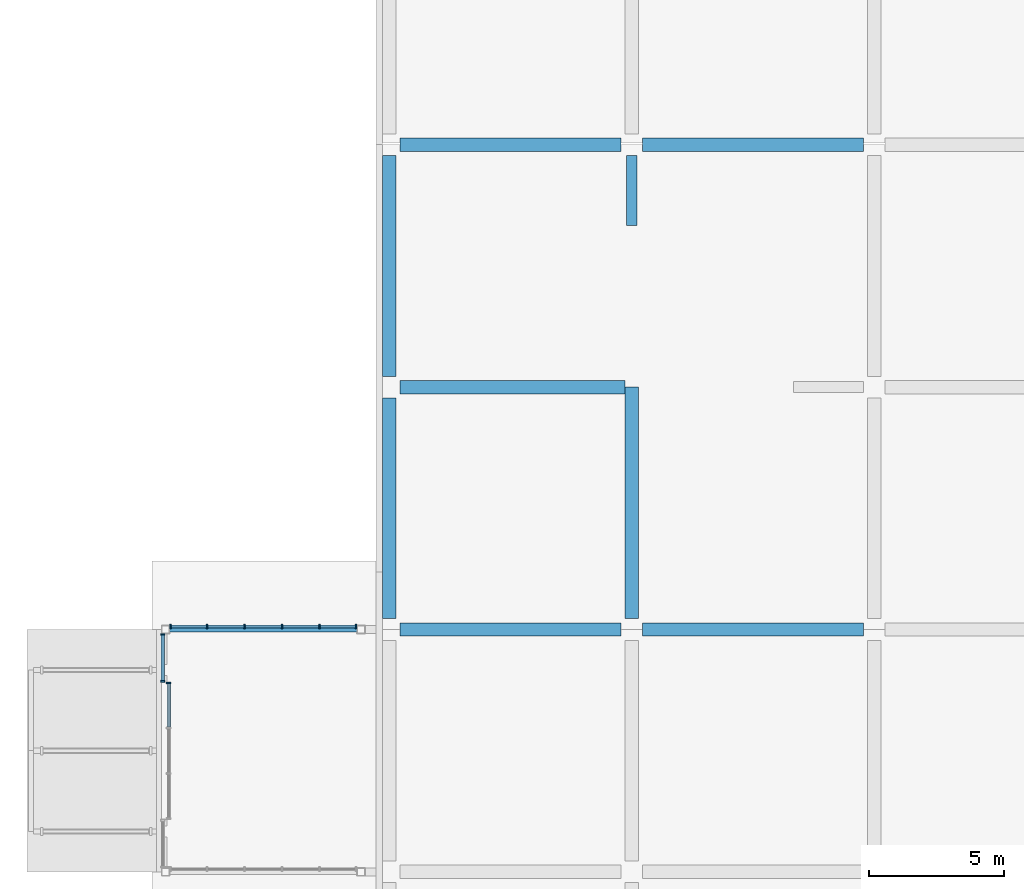
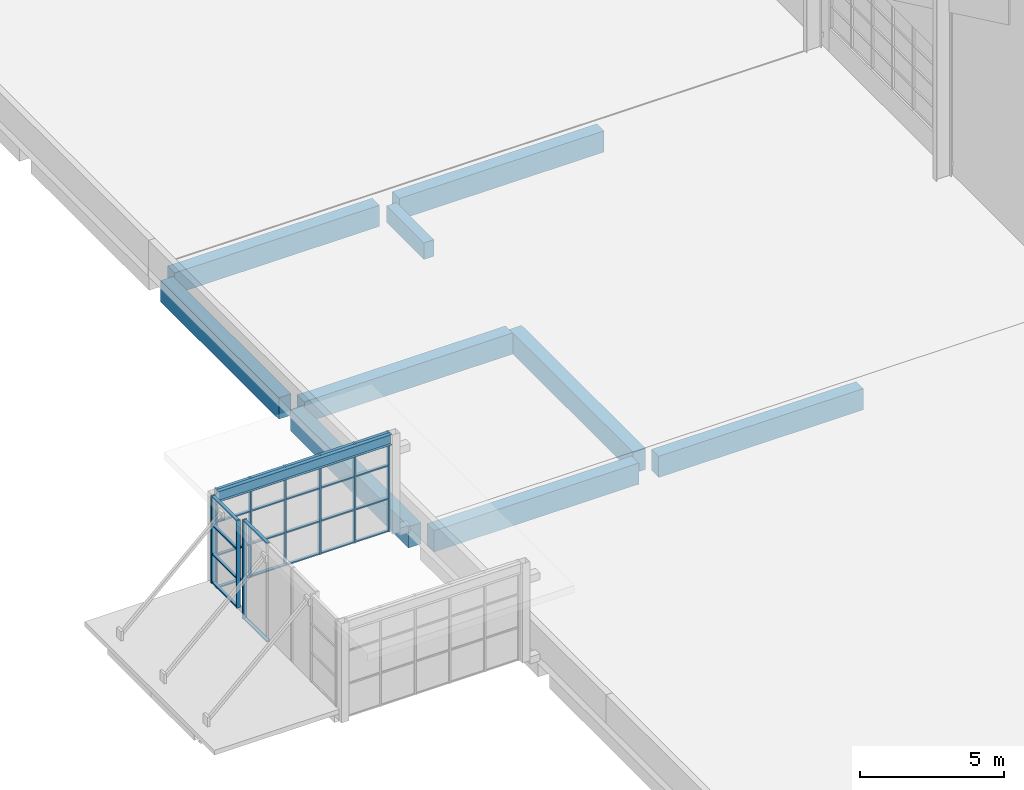
# One storey, part 26 of 182: 35 members, 10 beams, 3 elements without a shape of their own.
"""IFC4 building model written with IfcOpenShell, lengths in metres."""

from ifc_helpers import new_model, si_unit, direction, frame, origin, origin_2d, place, context, subcontext, project, spatial, rectangle, i_section, extrude, material, material_profile, profile_set, type_object, element, aggregate, save


model = new_model("IFC4")

# Units and contexts
model_context = context("Model", 3, precision=1e-05, world=origin(), true_north=direction((0.0, 1.0)))
body_context = subcontext(model_context, "Body", "Model", "MODEL_VIEW")
ifc_project = project(units=[si_unit("LENGTHUNIT", "METRE"), si_unit("AREAUNIT", "SQUARE_METRE"), si_unit("VOLUMEUNIT", "CUBIC_METRE"), si_unit("PLANEANGLEUNIT", "RADIAN"), si_unit("MASSUNIT", "GRAM", prefix="KILO")], contexts=[model_context])

# Site, building, storey
site_placement = place(None, origin())
site = spatial("IfcSite", under=ifc_project, at=site_placement, CompositionType="ELEMENT")
building_placement = place(site_placement, origin())
building = spatial("IfcBuilding", under=site, at=building_placement, Name="Silverbay Arena", CompositionType="ELEMENT")
storey_placement = place(building_placement, frame((0.0, 0.0, 11.5)))
storey = spatial("IfcBuildingStorey", under=building, at=storey_placement, Name="L02", CompositionType="ELEMENT", Elevation=11.5)

# Beam
ifc_material_1 = material(Name="Steel S355", Category="steel")
ifc_material_profile_1 = material_profile(ifc_material_1, i_section(OverallWidth=0.18994140625, OverallDepth=0.453369140625, WebThickness=0.008544921875, FlangeThickness=0.0126953125, at=origin_2d()), Name="UB 457x191x67")
ifc_profile_set_1 = profile_set([ifc_material_profile_1], Name="Steel S355")
beam_type_1 = type_object("IfcBeamType", Name="Hall beam UB 457x191x67", PredefinedType="BEAM", material=ifc_profile_set_1)
beam_1_placement = place(storey_placement, frame((25.800048828125, 63.0, 3.973388671875), z_axis=(-1.0, 0.0, 0.0), x_axis=(0.0, -1.0, 0.0)))
element("IfcBeam", 1, at=beam_1_placement, inside=storey, type_object=beam_type_1, Name="West entrance hall W0 transverse beam 2R", PredefinedType="BEAM", context=body_context, shape_type="SweptSolid", body=[
    extrude(i_section(OverallWidth=0.18994140625, OverallDepth=0.453369140625, WebThickness=0.008544921875, FlangeThickness=0.0126953125, at=origin_2d()), origin(), (0.0, 0.0, 1.0), 6.949951171875),
])

# Curtain wall, members
ifc_material_2 = material(Name="Aluminium framed curtain wall", Category="aluminium")
curtain_wall_type_1 = type_object("IfcCurtainWallType", Name="Curtain wall 1800 x 3700", PredefinedType="NOTDEFINED", material=ifc_material_2)
curtain_wall_1_placement = place(storey_placement, origin())
curtain_wall_1 = element("IfcCurtainWall", 2, at=curtain_wall_1_placement, inside=storey, type_object=curtain_wall_type_1, Name="West entrance hall W0 glazing F0b", PredefinedType="NOTDEFINED")
ifc_material_3 = material(Name="Aluminium", Category="aluminium")
ifc_material_profile_2 = material_profile(ifc_material_3, rectangle(XDim=0.159912109375, YDim=0.06005859375, at=origin_2d()), Name="Mullion 60 x 160")
ifc_profile_set_2 = profile_set([ifc_material_profile_2], Name="Aluminium")
member_type_1 = type_object("IfcMemberType", Name="Mullion 60 x 160", PredefinedType="MULLION", material=ifc_profile_set_2)
member_1_placement = place(storey_placement, frame((18.590087890625, 61.080078125, 0.5), z_axis=(0.0, 0.0, 1.0), x_axis=(-1.0, 0.0, 0.0)))
member_1 = element("IfcMember", 3, at=member_1_placement, type_object=member_type_1, Name="CW50 mullion 1", PredefinedType="MULLION", context=body_context, shape_type="SweptSolid", body=[
    extrude(rectangle(XDim=0.159912109375, YDim=0.06005859375, at=origin_2d()), origin(), (0.0, 0.0, 1.0), 3.699951171875),
])
member_2_placement = place(storey_placement, frame((18.590087890625, 62.820068359375, 0.5), z_axis=(0.0, 0.0, 1.0), x_axis=(-1.0, 0.0, 0.0)))
member_2 = element("IfcMember", 4, at=member_2_placement, type_object=member_type_1, Name="CW50 mullion 2", PredefinedType="MULLION", context=body_context, shape_type="SweptSolid", body=[
    extrude(rectangle(XDim=0.159912109375, YDim=0.06005859375, at=origin_2d()), origin(), (0.0, 0.0, 1.0), 3.699951171875),
])

ifc_material_4 = material(Name="Aluminium framed curtain wall", Category="aluminium")
curtain_wall_type_2 = type_object("IfcCurtainWallType", Name="Curtain wall 6950 x 4200", PredefinedType="NOTDEFINED", material=ifc_material_4)
curtain_wall_2_placement = place(storey_placement, origin())
curtain_wall_2 = element("IfcCurtainWall", 5, at=curtain_wall_2_placement, inside=storey, type_object=curtain_wall_type_2, Name="West entrance hall W0 glazing SB", PredefinedType="NOTDEFINED")
member_3_placement = place(storey_placement, frame((18.8798828125, 63.110107421875, 0.0), z_axis=(0.0, 0.0, 1.0), x_axis=(0.0, 1.0, 0.0)))
member_3 = element("IfcMember", 6, at=member_3_placement, type_object=member_type_1, Name="CW52 mullion 1", PredefinedType="MULLION", context=body_context, shape_type="SweptSolid", body=[
    extrude(rectangle(XDim=0.159912109375, YDim=0.06005859375, at=origin_2d()), origin(), (0.0, 0.0, 1.0), 4.199951171875),
])
member_4_placement = place(storey_placement, frame((20.239990234375, 63.110107421875, 0.0), z_axis=(0.0, 0.0, 1.0), x_axis=(0.0, 1.0, 0.0)))
member_4 = element("IfcMember", 7, at=member_4_placement, type_object=member_type_1, Name="CW52 mullion 2", PredefinedType="MULLION", context=body_context, shape_type="SweptSolid", body=[
    extrude(rectangle(XDim=0.159912109375, YDim=0.06005859375, at=origin_2d()), origin(), (0.0, 0.0, 1.0), 4.199951171875),
])
member_5_placement = place(storey_placement, frame((21.6298828125, 63.110107421875, 0.0), z_axis=(0.0, 0.0, 1.0), x_axis=(0.0, 1.0, 0.0)))
member_5 = element("IfcMember", 8, at=member_5_placement, type_object=member_type_1, Name="CW52 mullion 3", PredefinedType="MULLION", context=body_context, shape_type="SweptSolid", body=[
    extrude(rectangle(XDim=0.159912109375, YDim=0.06005859375, at=origin_2d()), origin(), (0.0, 0.0, 1.0), 4.199951171875),
])
member_6_placement = place(storey_placement, frame((23.02001953125, 63.110107421875, 0.0), z_axis=(0.0, 0.0, 1.0), x_axis=(0.0, 1.0, 0.0)))
member_6 = element("IfcMember", 9, at=member_6_placement, type_object=member_type_1, Name="CW52 mullion 4", PredefinedType="MULLION", context=body_context, shape_type="SweptSolid", body=[
    extrude(rectangle(XDim=0.159912109375, YDim=0.06005859375, at=origin_2d()), origin(), (0.0, 0.0, 1.0), 4.199951171875),
])
member_7_placement = place(storey_placement, frame((24.409912109375, 63.110107421875, 0.0), z_axis=(0.0, 0.0, 1.0), x_axis=(0.0, 1.0, 0.0)))
member_7 = element("IfcMember", 10, at=member_7_placement, type_object=member_type_1, Name="CW52 mullion 5", PredefinedType="MULLION", context=body_context, shape_type="SweptSolid", body=[
    extrude(rectangle(XDim=0.159912109375, YDim=0.06005859375, at=origin_2d()), origin(), (0.0, 0.0, 1.0), 4.199951171875),
])
member_8_placement = place(storey_placement, frame((25.77001953125, 63.110107421875, 0.0), z_axis=(0.0, 0.0, 1.0), x_axis=(0.0, 1.0, 0.0)))
member_8 = element("IfcMember", 11, at=member_8_placement, type_object=member_type_1, Name="CW52 mullion 6", PredefinedType="MULLION", context=body_context, shape_type="SweptSolid", body=[
    extrude(rectangle(XDim=0.159912109375, YDim=0.06005859375, at=origin_2d()), origin(), (0.0, 0.0, 1.0), 4.199951171875),
])

# Curtain wall, member
ifc_material_5 = material(Name="Aluminium framed curtain wall", Category="aluminium")
curtain_wall_type_3 = type_object("IfcCurtainWallType", Name="Curtain wall 5100 x 4200", PredefinedType="NOTDEFINED", material=ifc_material_5)
curtain_wall_3_placement = place(storey_placement, origin())
curtain_wall_3 = element("IfcCurtainWall", 12, at=curtain_wall_3_placement, inside=storey, type_object=curtain_wall_type_3, Name="West entrance hall W0 glazing over the door", PredefinedType="NOTDEFINED")
member_9_placement = place(storey_placement, frame((18.81005859375, 61.02001953125, 0.0), z_axis=(0.0, 0.0, 1.0), x_axis=(1.0, 0.0, 0.0)))
member_9 = element("IfcMember", 13, at=member_9_placement, type_object=member_type_1, Name="CW53 mullion 1", PredefinedType="MULLION", context=body_context, shape_type="SweptSolid", body=[
    extrude(rectangle(XDim=0.159912109375, YDim=0.06005859375, at=origin_2d()), origin(), (0.0, 0.0, 1.0), 4.199951171875),
])

# Beams
ifc_material_6 = material(Name="Concrete Grade C45", Category="concrete")
ifc_material_profile_3 = material_profile(ifc_material_6, rectangle(XDim=0.39990234375, YDim=0.699951171875, at=origin_2d()), Name="RC 400x700")
ifc_profile_set_3 = profile_set([ifc_material_profile_3], Name="Concrete Grade C45")
beam_type_2 = type_object("IfcBeamType", Name="RC beam 400x700", PredefinedType="BEAM", material=ifc_profile_set_3)
beam_2_placement = place(storey_placement, frame((36.0, 78.0, -0.699951171875), z_axis=(0.0, 1.0, 0.0), x_axis=(-1.0, 0.0, 0.0)))
element("IfcBeam", 14, at=beam_2_placement, inside=storey, type_object=beam_type_2, Name="Floor beam L02 195", PredefinedType="BEAM", context=body_context, shape_type="SweptSolid", body=[
    extrude(rectangle(XDim=0.39990234375, YDim=0.699951171875, at=origin_2d()), origin(), (0.0, 0.0, 1.0), 2.60009765625),
])
ifc_material_7 = material(Name="Concrete Grade C45", Category="concrete")
ifc_material_profile_4 = material_profile(ifc_material_7, rectangle(XDim=0.5, YDim=0.89990234375, at=origin_2d()), Name="RC 500x900")
ifc_profile_set_4 = profile_set([ifc_material_profile_4], Name="Concrete Grade C45")
beam_type_3 = type_object("IfcBeamType", Name="RC beam 500x900", PredefinedType="BEAM", material=ifc_profile_set_4)
for number, where, z_axis, x_axis, name in (
    (15, (27.39990234375, 63.0, -0.800048828125), (1.0, 0.0, 0.0), (0.0, 1.0, 0.0), "Floor beam L02 062"),
    (16, (36.39990234375, 63.0, -0.800048828125), (1.0, 0.0, 0.0), (0.0, 1.0, 0.0), "Floor beam L02 063"),
):
    element("IfcBeam", number, at=place(storey_placement, frame(where, z_axis=z_axis, x_axis=x_axis)), inside=storey, type_object=beam_type_3, Name=name, PredefinedType="BEAM", context=body_context, shape_type="SweptSolid", body=[
        extrude(rectangle(XDim=0.5, YDim=0.89990234375, at=origin_2d()), origin(), (0.0, 0.0, 1.0), 8.2001953125),
    ])
beam_3_placement = place(storey_placement, frame((27.39990234375, 72.0, -0.800048828125), z_axis=(1.0, 0.0, 0.0), x_axis=(0.0, 1.0, 0.0)))
element("IfcBeam", 17, at=beam_3_placement, inside=storey, type_object=beam_type_3, Name="Floor beam L02 072", PredefinedType="BEAM", context=body_context, shape_type="SweptSolid", body=[
    extrude(rectangle(XDim=0.5, YDim=0.89990234375, at=origin_2d()), origin(), (0.0, 0.0, 1.0), 8.35009765625),
])
for number, where, z_axis, x_axis, name in (
    (18, (27.39990234375, 81.0, -0.800048828125), (1.0, 0.0, 0.0), (0.0, 1.0, 0.0), "Floor beam L02 084"),
    (19, (36.39990234375, 81.0, -0.800048828125), (1.0, 0.0, 0.0), (0.0, 1.0, 0.0), "Floor beam L02 085"),
    (20, (27.0, 63.39990234375, -0.800048828125), (0.0, 1.0, 0.0), (-1.0, 0.0, 0.0), "Floor beam L02 184"),
    (21, (27.0, 72.39990234375, -0.800048828125), (0.0, 1.0, 0.0), (-1.0, 0.0, 0.0), "Floor beam L02 185"),
):
    element("IfcBeam", number, at=place(storey_placement, frame(where, z_axis=z_axis, x_axis=x_axis)), inside=storey, type_object=beam_type_3, Name=name, PredefinedType="BEAM", context=body_context, shape_type="SweptSolid", body=[
        extrude(rectangle(XDim=0.5, YDim=0.89990234375, at=origin_2d()), origin(), (0.0, 0.0, 1.0), 8.2001953125),
    ])
beam_4_placement = place(storey_placement, frame((36.0, 63.39990234375, -0.800048828125), z_axis=(0.0, 1.0, 0.0), x_axis=(-1.0, 0.0, 0.0)))
element("IfcBeam", 22, at=beam_4_placement, inside=storey, type_object=beam_type_3, Name="Floor beam L02 194", PredefinedType="BEAM", context=body_context, shape_type="SweptSolid", body=[
    extrude(rectangle(XDim=0.5, YDim=0.89990234375, at=origin_2d()), origin(), (0.0, 0.0, 1.0), 8.60009765625),
])

# Member
ifc_material_8 = material(Name="Aluminium", Category="aluminium")
ifc_material_profile_5 = material_profile(ifc_material_8, rectangle(XDim=0.1201171875, YDim=0.050048828125, at=origin_2d()), Name="Transom 50 x 120")
ifc_profile_set_5 = profile_set([ifc_material_profile_5], Name="Aluminium")
member_type_2 = type_object("IfcMemberType", Name="Transom 50 x 120", PredefinedType="USERDEFINED", material=ifc_profile_set_5)
member_10_placement = place(storey_placement, frame((18.590087890625, 61.110107421875, 0.52490234375), z_axis=(0.0, 1.0, 0.0), x_axis=(-1.0, 0.0, 0.0)))
member_10 = element("IfcMember", 23, at=member_10_placement, type_object=member_type_2, Name="CW50 transom 1.1", ObjectType="TRANSOM", PredefinedType="USERDEFINED", context=body_context, shape_type="SweptSolid", body=[
    extrude(rectangle(XDim=0.1201171875, YDim=0.050048828125, at=origin_2d()), origin(), (0.0, 0.0, 1.0), 1.679931640625),
])

member_11_placement = place(storey_placement, frame((18.590087890625, 61.110107421875, 1.7333984375), z_axis=(0.0, 1.0, 0.0), x_axis=(-1.0, 0.0, 0.0)))
member_11 = element("IfcMember", 24, at=member_11_placement, type_object=member_type_2, Name="CW50 transom 1.2", ObjectType="TRANSOM", PredefinedType="USERDEFINED", context=body_context, shape_type="SweptSolid", body=[
    extrude(rectangle(XDim=0.1201171875, YDim=0.050048828125, at=origin_2d()), origin(), (0.0, 0.0, 1.0), 1.679931640625),
])

member_12_placement = place(storey_placement, frame((18.590087890625, 61.110107421875, 2.966552734375), z_axis=(0.0, 1.0, 0.0), x_axis=(-1.0, 0.0, 0.0)))
member_12 = element("IfcMember", 25, at=member_12_placement, type_object=member_type_2, Name="CW50 transom 1.3", ObjectType="TRANSOM", PredefinedType="USERDEFINED", context=body_context, shape_type="SweptSolid", body=[
    extrude(rectangle(XDim=0.1201171875, YDim=0.050048828125, at=origin_2d()), origin(), (0.0, 0.0, 1.0), 1.679931640625),
])

member_13_placement = place(storey_placement, frame((18.590087890625, 61.110107421875, 4.175048828125), z_axis=(0.0, 1.0, 0.0), x_axis=(-1.0, 0.0, 0.0)))
member_13 = element("IfcMember", 26, at=member_13_placement, type_object=member_type_2, Name="CW50 transom 1.4", ObjectType="TRANSOM", PredefinedType="USERDEFINED", context=body_context, shape_type="SweptSolid", body=[
    extrude(rectangle(XDim=0.1201171875, YDim=0.050048828125, at=origin_2d()), origin(), (0.0, 0.0, 1.0), 1.679931640625),
])

aggregate(curtain_wall_1, [member_1, member_2, member_10, member_11, member_12, member_13])

member_14_placement = place(storey_placement, frame((18.909912109375, 63.110107421875, 0.02490234375), z_axis=(1.0, 0.0, 0.0), x_axis=(0.0, 1.0, 0.0)))
member_14 = element("IfcMember", 27, at=member_14_placement, type_object=member_type_2, Name="CW52 transom 1.1", ObjectType="TRANSOM", PredefinedType="USERDEFINED", context=body_context, shape_type="SweptSolid", body=[
    extrude(rectangle(XDim=0.1201171875, YDim=0.050048828125, at=origin_2d()), origin(), (0.0, 0.0, 1.0), 1.300048828125),
])

member_15_placement = place(storey_placement, frame((18.909912109375, 63.110107421875, 1.39990234375), z_axis=(1.0, 0.0, 0.0), x_axis=(0.0, 1.0, 0.0)))
member_15 = element("IfcMember", 28, at=member_15_placement, type_object=member_type_2, Name="CW52 transom 1.2", ObjectType="TRANSOM", PredefinedType="USERDEFINED", context=body_context, shape_type="SweptSolid", body=[
    extrude(rectangle(XDim=0.1201171875, YDim=0.050048828125, at=origin_2d()), origin(), (0.0, 0.0, 1.0), 1.300048828125),
])

member_16_placement = place(storey_placement, frame((18.909912109375, 63.110107421875, 2.800048828125), z_axis=(1.0, 0.0, 0.0), x_axis=(0.0, 1.0, 0.0)))
member_16 = element("IfcMember", 29, at=member_16_placement, type_object=member_type_2, Name="CW52 transom 1.3", ObjectType="TRANSOM", PredefinedType="USERDEFINED", context=body_context, shape_type="SweptSolid", body=[
    extrude(rectangle(XDim=0.1201171875, YDim=0.050048828125, at=origin_2d()), origin(), (0.0, 0.0, 1.0), 1.300048828125),
])

member_17_placement = place(storey_placement, frame((18.909912109375, 63.110107421875, 4.175048828125), z_axis=(1.0, 0.0, 0.0), x_axis=(0.0, 1.0, 0.0)))
member_17 = element("IfcMember", 30, at=member_17_placement, type_object=member_type_2, Name="CW52 transom 1.4", ObjectType="TRANSOM", PredefinedType="USERDEFINED", context=body_context, shape_type="SweptSolid", body=[
    extrude(rectangle(XDim=0.1201171875, YDim=0.050048828125, at=origin_2d()), origin(), (0.0, 0.0, 1.0), 1.300048828125),
])

member_18_placement = place(storey_placement, frame((20.27001953125, 63.110107421875, 0.02490234375), z_axis=(1.0, 0.0, 0.0), x_axis=(0.0, 1.0, 0.0)))
member_18 = element("IfcMember", 31, at=member_18_placement, type_object=member_type_2, Name="CW52 transom 2.1", ObjectType="TRANSOM", PredefinedType="USERDEFINED", context=body_context, shape_type="SweptSolid", body=[
    extrude(rectangle(XDim=0.1201171875, YDim=0.050048828125, at=origin_2d()), origin(), (0.0, 0.0, 1.0), 1.330078125),
])

member_19_placement = place(storey_placement, frame((20.27001953125, 63.110107421875, 1.39990234375), z_axis=(1.0, 0.0, 0.0), x_axis=(0.0, 1.0, 0.0)))
member_19 = element("IfcMember", 32, at=member_19_placement, type_object=member_type_2, Name="CW52 transom 2.2", ObjectType="TRANSOM", PredefinedType="USERDEFINED", context=body_context, shape_type="SweptSolid", body=[
    extrude(rectangle(XDim=0.1201171875, YDim=0.050048828125, at=origin_2d()), origin(), (0.0, 0.0, 1.0), 1.330078125),
])

member_20_placement = place(storey_placement, frame((20.27001953125, 63.110107421875, 2.800048828125), z_axis=(1.0, 0.0, 0.0), x_axis=(0.0, 1.0, 0.0)))
member_20 = element("IfcMember", 33, at=member_20_placement, type_object=member_type_2, Name="CW52 transom 2.3", ObjectType="TRANSOM", PredefinedType="USERDEFINED", context=body_context, shape_type="SweptSolid", body=[
    extrude(rectangle(XDim=0.1201171875, YDim=0.050048828125, at=origin_2d()), origin(), (0.0, 0.0, 1.0), 1.330078125),
])

member_21_placement = place(storey_placement, frame((20.27001953125, 63.110107421875, 4.175048828125), z_axis=(1.0, 0.0, 0.0), x_axis=(0.0, 1.0, 0.0)))
member_21 = element("IfcMember", 34, at=member_21_placement, type_object=member_type_2, Name="CW52 transom 2.4", ObjectType="TRANSOM", PredefinedType="USERDEFINED", context=body_context, shape_type="SweptSolid", body=[
    extrude(rectangle(XDim=0.1201171875, YDim=0.050048828125, at=origin_2d()), origin(), (0.0, 0.0, 1.0), 1.330078125),
])

member_22_placement = place(storey_placement, frame((21.659912109375, 63.110107421875, 0.02490234375), z_axis=(1.0, 0.0, 0.0), x_axis=(0.0, 1.0, 0.0)))
member_22 = element("IfcMember", 35, at=member_22_placement, type_object=member_type_2, Name="CW52 transom 3.1", ObjectType="TRANSOM", PredefinedType="USERDEFINED", context=body_context, shape_type="SweptSolid", body=[
    extrude(rectangle(XDim=0.1201171875, YDim=0.050048828125, at=origin_2d()), origin(), (0.0, 0.0, 1.0), 1.330078125),
])

member_23_placement = place(storey_placement, frame((21.659912109375, 63.110107421875, 1.39990234375), z_axis=(1.0, 0.0, 0.0), x_axis=(0.0, 1.0, 0.0)))
member_23 = element("IfcMember", 36, at=member_23_placement, type_object=member_type_2, Name="CW52 transom 3.2", ObjectType="TRANSOM", PredefinedType="USERDEFINED", context=body_context, shape_type="SweptSolid", body=[
    extrude(rectangle(XDim=0.1201171875, YDim=0.050048828125, at=origin_2d()), origin(), (0.0, 0.0, 1.0), 1.330078125),
])

member_24_placement = place(storey_placement, frame((21.659912109375, 63.110107421875, 2.800048828125), z_axis=(1.0, 0.0, 0.0), x_axis=(0.0, 1.0, 0.0)))
member_24 = element("IfcMember", 37, at=member_24_placement, type_object=member_type_2, Name="CW52 transom 3.3", ObjectType="TRANSOM", PredefinedType="USERDEFINED", context=body_context, shape_type="SweptSolid", body=[
    extrude(rectangle(XDim=0.1201171875, YDim=0.050048828125, at=origin_2d()), origin(), (0.0, 0.0, 1.0), 1.330078125),
])

member_25_placement = place(storey_placement, frame((21.659912109375, 63.110107421875, 4.175048828125), z_axis=(1.0, 0.0, 0.0), x_axis=(0.0, 1.0, 0.0)))
member_25 = element("IfcMember", 38, at=member_25_placement, type_object=member_type_2, Name="CW52 transom 3.4", ObjectType="TRANSOM", PredefinedType="USERDEFINED", context=body_context, shape_type="SweptSolid", body=[
    extrude(rectangle(XDim=0.1201171875, YDim=0.050048828125, at=origin_2d()), origin(), (0.0, 0.0, 1.0), 1.330078125),
])

member_26_placement = place(storey_placement, frame((23.050048828125, 63.110107421875, 0.02490234375), z_axis=(1.0, 0.0, 0.0), x_axis=(0.0, 1.0, 0.0)))
member_26 = element("IfcMember", 39, at=member_26_placement, type_object=member_type_2, Name="CW52 transom 4.1", ObjectType="TRANSOM", PredefinedType="USERDEFINED", context=body_context, shape_type="SweptSolid", body=[
    extrude(rectangle(XDim=0.1201171875, YDim=0.050048828125, at=origin_2d()), origin(), (0.0, 0.0, 1.0), 1.329833984375),
])

member_27_placement = place(storey_placement, frame((23.050048828125, 63.110107421875, 1.39990234375), z_axis=(1.0, 0.0, 0.0), x_axis=(0.0, 1.0, 0.0)))
member_27 = element("IfcMember", 40, at=member_27_placement, type_object=member_type_2, Name="CW52 transom 4.2", ObjectType="TRANSOM", PredefinedType="USERDEFINED", context=body_context, shape_type="SweptSolid", body=[
    extrude(rectangle(XDim=0.1201171875, YDim=0.050048828125, at=origin_2d()), origin(), (0.0, 0.0, 1.0), 1.329833984375),
])

member_28_placement = place(storey_placement, frame((23.050048828125, 63.110107421875, 2.800048828125), z_axis=(1.0, 0.0, 0.0), x_axis=(0.0, 1.0, 0.0)))
member_28 = element("IfcMember", 41, at=member_28_placement, type_object=member_type_2, Name="CW52 transom 4.3", ObjectType="TRANSOM", PredefinedType="USERDEFINED", context=body_context, shape_type="SweptSolid", body=[
    extrude(rectangle(XDim=0.1201171875, YDim=0.050048828125, at=origin_2d()), origin(), (0.0, 0.0, 1.0), 1.329833984375),
])

member_29_placement = place(storey_placement, frame((23.050048828125, 63.110107421875, 4.175048828125), z_axis=(1.0, 0.0, 0.0), x_axis=(0.0, 1.0, 0.0)))
member_29 = element("IfcMember", 42, at=member_29_placement, type_object=member_type_2, Name="CW52 transom 4.4", ObjectType="TRANSOM", PredefinedType="USERDEFINED", context=body_context, shape_type="SweptSolid", body=[
    extrude(rectangle(XDim=0.1201171875, YDim=0.050048828125, at=origin_2d()), origin(), (0.0, 0.0, 1.0), 1.329833984375),
])

member_30_placement = place(storey_placement, frame((24.43994140625, 63.110107421875, 0.02490234375), z_axis=(1.0, 0.0, 0.0), x_axis=(0.0, 1.0, 0.0)))
member_30 = element("IfcMember", 43, at=member_30_placement, type_object=member_type_2, Name="CW52 transom 5.1", ObjectType="TRANSOM", PredefinedType="USERDEFINED", context=body_context, shape_type="SweptSolid", body=[
    extrude(rectangle(XDim=0.1201171875, YDim=0.050048828125, at=origin_2d()), origin(), (0.0, 0.0, 1.0), 1.300048828125),
])

member_31_placement = place(storey_placement, frame((24.43994140625, 63.110107421875, 1.39990234375), z_axis=(1.0, 0.0, 0.0), x_axis=(0.0, 1.0, 0.0)))
member_31 = element("IfcMember", 44, at=member_31_placement, type_object=member_type_2, Name="CW52 transom 5.2", ObjectType="TRANSOM", PredefinedType="USERDEFINED", context=body_context, shape_type="SweptSolid", body=[
    extrude(rectangle(XDim=0.1201171875, YDim=0.050048828125, at=origin_2d()), origin(), (0.0, 0.0, 1.0), 1.300048828125),
])

member_32_placement = place(storey_placement, frame((24.43994140625, 63.110107421875, 2.800048828125), z_axis=(1.0, 0.0, 0.0), x_axis=(0.0, 1.0, 0.0)))
member_32 = element("IfcMember", 45, at=member_32_placement, type_object=member_type_2, Name="CW52 transom 5.3", ObjectType="TRANSOM", PredefinedType="USERDEFINED", context=body_context, shape_type="SweptSolid", body=[
    extrude(rectangle(XDim=0.1201171875, YDim=0.050048828125, at=origin_2d()), origin(), (0.0, 0.0, 1.0), 1.300048828125),
])

member_33_placement = place(storey_placement, frame((24.43994140625, 63.110107421875, 4.175048828125), z_axis=(1.0, 0.0, 0.0), x_axis=(0.0, 1.0, 0.0)))
member_33 = element("IfcMember", 46, at=member_33_placement, type_object=member_type_2, Name="CW52 transom 5.4", ObjectType="TRANSOM", PredefinedType="USERDEFINED", context=body_context, shape_type="SweptSolid", body=[
    extrude(rectangle(XDim=0.1201171875, YDim=0.050048828125, at=origin_2d()), origin(), (0.0, 0.0, 1.0), 1.300048828125),
])

aggregate(curtain_wall_2, [member_3, member_4, member_5, member_6, member_7, member_8, member_14, member_15, member_16, member_17, member_18, member_19, member_20, member_21, member_22, member_23, member_24, member_25, member_26, member_27, member_28, member_29, member_30, member_31, member_32, member_33])

member_34_placement = place(storey_placement, frame((18.81005859375, 60.989990234375, 0.02490234375), z_axis=(0.0, -1.0, 0.0), x_axis=(1.0, 0.0, 0.0)))
member_34 = element("IfcMember", 47, at=member_34_placement, type_object=member_type_2, Name="CW53 transom 1.1", ObjectType="TRANSOM", PredefinedType="USERDEFINED", context=body_context, shape_type="SweptSolid", body=[
    extrude(rectangle(XDim=0.1201171875, YDim=0.050048828125, at=origin_2d()), origin(), (0.0, 0.0, 1.0), 1.610107421875),
])

member_35_placement = place(storey_placement, frame((18.81005859375, 60.989990234375, 4.175048828125), z_axis=(0.0, -1.0, 0.0), x_axis=(1.0, 0.0, 0.0)))
member_35 = element("IfcMember", 48, at=member_35_placement, type_object=member_type_2, Name="CW53 transom 1.2", ObjectType="TRANSOM", PredefinedType="USERDEFINED", context=body_context, shape_type="SweptSolid", body=[
    extrude(rectangle(XDim=0.1201171875, YDim=0.050048828125, at=origin_2d()), origin(), (0.0, 0.0, 1.0), 1.610107421875),
])

aggregate(curtain_wall_3, [member_9, member_34, member_35])

save(model, "model.ifc")
